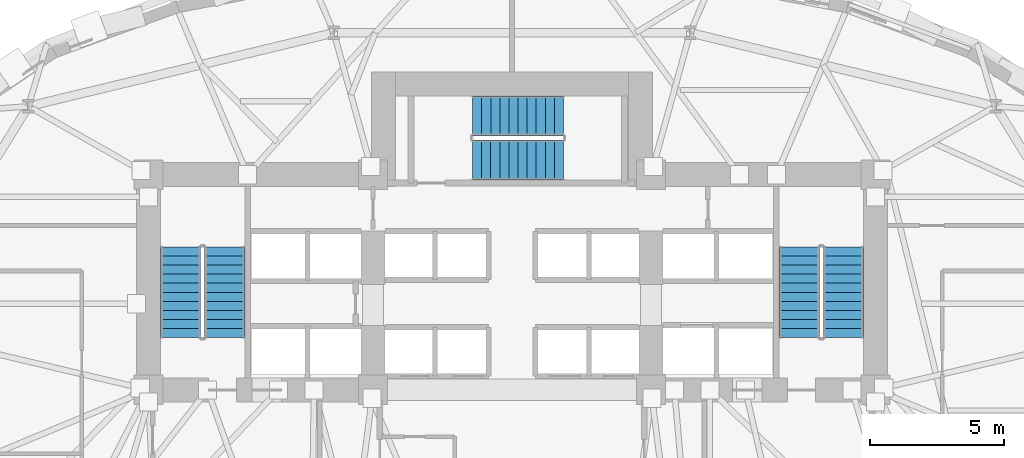
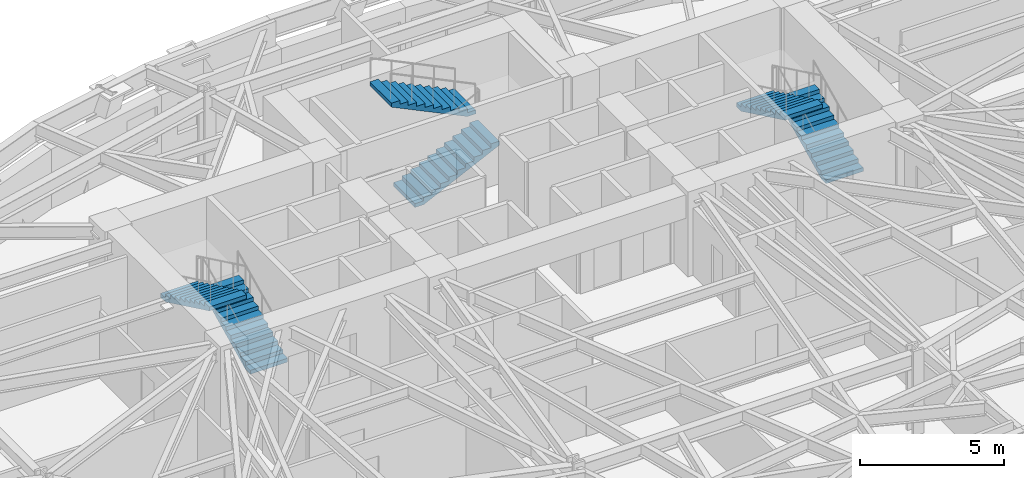
# One storey, part 9 of 13: 6 stair flights, 3 elements without a shape of their own.
"""IFC4 building model written with IfcOpenShell, lengths in metres."""

from ifc_helpers import new_model, si_unit, direction, frame, origin, place, context, subcontext, project, spatial, polyline, outline, extrude, material, type_object, element, aggregate, save


model = new_model("IFC4")

# Units and contexts
model_context = context("Model", 3, precision=1e-05, world=origin(), true_north=direction((0.0, 1.0)))
body_context = subcontext(model_context, "Body", "Model", "MODEL_VIEW")
ifc_project = project(units=[si_unit("LENGTHUNIT", "METRE"), si_unit("AREAUNIT", "SQUARE_METRE"), si_unit("VOLUMEUNIT", "CUBIC_METRE"), si_unit("PLANEANGLEUNIT", "RADIAN"), si_unit("MASSUNIT", "GRAM", prefix="KILO")], contexts=[model_context])

# Site, building, storey
site_placement = place(None, origin())
site = spatial("IfcSite", under=ifc_project, at=site_placement, CompositionType="ELEMENT")
building_placement = place(site_placement, origin())
building = spatial("IfcBuilding", under=site, at=building_placement, Name="Keldmark Tower", CompositionType="ELEMENT")
storey_placement = place(building_placement, frame((0.0, 0.0, 30.60009765625)))
storey = spatial("IfcBuildingStorey", under=building, at=storey_placement, Name="L07", CompositionType="ELEMENT", Elevation=30.60009765625)

# Stair, stair flights
ifc_material_1 = material(Name="Concrete C40/50", Category="concrete")
stair_type = type_object("IfcStairType", Name="Precast Concrete Core Exit Stair", PredefinedType="HALF_TURN_STAIR", material=ifc_material_1)
stair_1_placement = place(storey_placement, origin())
stair_1 = element("IfcStair", 1, at=stair_1_placement, inside=storey, type_object=stair_type, Name="L07 Exit Stair ST1", PredefinedType="HALF_TURN_STAIR")
ifc_material_2 = material(Name="Concrete C40/50", Category="concrete")
stair_flight_type = type_object("IfcStairFlightType", Name="Precast Concrete Stair Flight 1500 mm", PredefinedType="STRAIGHT", material=ifc_material_2)
stair_flight_1_placement = place(storey_placement, frame((-10.75, 3.35009765625, 0.0), z_axis=(0.0, 0.0, 1.0), x_axis=(0.0, 1.0, 0.0)))
stair_flight_1 = element("IfcStairFlight", 2, at=stair_flight_1_placement, type_object=stair_flight_type, Name="ST1 flight 1", NumberOfRisers=11, NumberOfTreads=10, PredefinedType="STRAIGHT", RiserHeight=0.163636364, TreadLength=0.34, context=body_context, shape_type="SweptSolid", body=[
    extrude(outline(polyline([(0.0, 0.0), (0.0, 0.16357421875), (0.340087890625, 0.16357421875), (0.340087890625, 0.327392578125), (0.679931640625, 0.327392578125), (0.679931640625, 0.490966796875), (1.02001953125, 0.490966796875), (1.02001953125, 0.654541015625), (1.360107421875, 0.654541015625), (1.360107421875, 0.818115234375), (1.699951171875, 0.818115234375), (1.699951171875, 0.98193359375), (2.0400390625, 0.98193359375), (2.0400390625, 1.1455078125), (2.3798828125, 1.1455078125), (2.3798828125, 1.30908203125), (2.719970703125, 1.30908203125), (2.719970703125, 1.47265625), (3.06005859375, 1.47265625), (3.06005859375, 1.636474609375), (3.39990234375, 1.636474609375), (3.39990234375, 1.800048828125), (3.39990234375, 1.469970703125), (0.345703125, 0.0), (0.0, 0.0)])), frame((0.0, 0.75, 0.0), z_axis=(0.0, -1.0, 0.0), x_axis=(1.0, 0.0, 0.0)), (0.0, 0.0, 1.0), 1.5),
])
stair_flight_2_placement = place(storey_placement, frame((-12.39990234375, 6.75, 1.7998046875), z_axis=(0.0, 0.0, 1.0), x_axis=(0.0, -1.0, 0.0)))
stair_flight_2 = element("IfcStairFlight", 3, at=stair_flight_2_placement, type_object=stair_flight_type, Name="ST1 flight 2", NumberOfRisers=11, NumberOfTreads=10, PredefinedType="STRAIGHT", RiserHeight=0.163636364, TreadLength=0.34, context=body_context, shape_type="SweptSolid", body=[
    extrude(outline(polyline([(0.0, 0.0), (0.0, 0.16357421875), (0.340087890625, 0.16357421875), (0.340087890625, 0.327392578125), (0.679931640625, 0.327392578125), (0.679931640625, 0.490966796875), (1.02001953125, 0.490966796875), (1.02001953125, 0.654541015625), (1.360107421875, 0.654541015625), (1.360107421875, 0.818115234375), (1.699951171875, 0.818115234375), (1.699951171875, 0.98193359375), (2.0400390625, 0.98193359375), (2.0400390625, 1.1455078125), (2.3798828125, 1.1455078125), (2.3798828125, 1.30908203125), (2.719970703125, 1.30908203125), (2.719970703125, 1.47265625), (3.06005859375, 1.47265625), (3.06005859375, 1.636474609375), (3.39990234375, 1.636474609375), (3.39990234375, 1.800048828125), (3.39990234375, 1.469970703125), (0.345703125, 0.0), (0.0, 0.0)])), frame((0.0, 0.75, 0.0), z_axis=(0.0, -1.0, 0.0), x_axis=(1.0, 0.0, 0.0)), (0.0, 0.0, 1.0), 1.5),
])
aggregate(stair_1, [stair_flight_1, stair_flight_2])

stair_2_placement = place(storey_placement, origin())
stair_2 = element("IfcStair", 4, at=stair_2_placement, inside=storey, type_object=stair_type, Name="L07 Exit Stair ST2", PredefinedType="HALF_TURN_STAIR")
stair_flight_3_placement = place(storey_placement, frame((12.39990234375, 3.35009765625, 0.0), z_axis=(0.0, 0.0, 1.0), x_axis=(0.0, 1.0, 0.0)))
stair_flight_3 = element("IfcStairFlight", 5, at=stair_flight_3_placement, type_object=stair_flight_type, Name="ST2 flight 1", NumberOfRisers=11, NumberOfTreads=10, PredefinedType="STRAIGHT", RiserHeight=0.163636364, TreadLength=0.34, context=body_context, shape_type="SweptSolid", body=[
    extrude(outline(polyline([(0.0, 0.0), (0.0, 0.16357421875), (0.340087890625, 0.16357421875), (0.340087890625, 0.327392578125), (0.679931640625, 0.327392578125), (0.679931640625, 0.490966796875), (1.02001953125, 0.490966796875), (1.02001953125, 0.654541015625), (1.360107421875, 0.654541015625), (1.360107421875, 0.818115234375), (1.699951171875, 0.818115234375), (1.699951171875, 0.98193359375), (2.0400390625, 0.98193359375), (2.0400390625, 1.1455078125), (2.3798828125, 1.1455078125), (2.3798828125, 1.30908203125), (2.719970703125, 1.30908203125), (2.719970703125, 1.47265625), (3.06005859375, 1.47265625), (3.06005859375, 1.636474609375), (3.39990234375, 1.636474609375), (3.39990234375, 1.800048828125), (3.39990234375, 1.469970703125), (0.345703125, 0.0), (0.0, 0.0)])), frame((0.0, 0.75, 0.0), z_axis=(0.0, -1.0, 0.0), x_axis=(1.0, 0.0, 0.0)), (0.0, 0.0, 1.0), 1.5),
])
stair_flight_4_placement = place(storey_placement, frame((10.75, 6.75, 1.7998046875), z_axis=(0.0, 0.0, 1.0), x_axis=(0.0, -1.0, 0.0)))
stair_flight_4 = element("IfcStairFlight", 6, at=stair_flight_4_placement, type_object=stair_flight_type, Name="ST2 flight 2", NumberOfRisers=11, NumberOfTreads=10, PredefinedType="STRAIGHT", RiserHeight=0.163636364, TreadLength=0.34, context=body_context, shape_type="SweptSolid", body=[
    extrude(outline(polyline([(0.0, 0.0), (0.0, 0.16357421875), (0.340087890625, 0.16357421875), (0.340087890625, 0.327392578125), (0.679931640625, 0.327392578125), (0.679931640625, 0.490966796875), (1.02001953125, 0.490966796875), (1.02001953125, 0.654541015625), (1.360107421875, 0.654541015625), (1.360107421875, 0.818115234375), (1.699951171875, 0.818115234375), (1.699951171875, 0.98193359375), (2.0400390625, 0.98193359375), (2.0400390625, 1.1455078125), (2.3798828125, 1.1455078125), (2.3798828125, 1.30908203125), (2.719970703125, 1.30908203125), (2.719970703125, 1.47265625), (3.06005859375, 1.47265625), (3.06005859375, 1.636474609375), (3.39990234375, 1.636474609375), (3.39990234375, 1.800048828125), (3.39990234375, 1.469970703125), (0.345703125, 0.0), (0.0, 0.0)])), frame((0.0, 0.75, 0.0), z_axis=(0.0, -1.0, 0.0), x_axis=(1.0, 0.0, 0.0)), (0.0, 0.0, 1.0), 1.5),
])
aggregate(stair_2, [stair_flight_3, stair_flight_4])

stair_3_placement = place(storey_placement, origin())
stair_3 = element("IfcStair", 7, at=stair_3_placement, inside=storey, type_object=stair_type, Name="L07 Exit Stair ST3", PredefinedType="HALF_TURN_STAIR")
stair_flight_5_placement = place(storey_placement, frame((-1.47509765625, 10.0, 0.0), z_axis=(0.0, 0.0, 1.0), x_axis=(1.0, 0.0, 0.0)))
stair_flight_5 = element("IfcStairFlight", 8, at=stair_flight_5_placement, type_object=stair_flight_type, Name="ST3 flight 1", NumberOfRisers=11, NumberOfTreads=10, PredefinedType="STRAIGHT", RiserHeight=0.163636364, TreadLength=0.34, context=body_context, shape_type="SweptSolid", body=[
    extrude(outline(polyline([(0.0, 0.0), (0.0, 0.16357421875), (0.340087890625, 0.16357421875), (0.340087890625, 0.327392578125), (0.679931640625, 0.327392578125), (0.679931640625, 0.490966796875), (1.02001953125, 0.490966796875), (1.02001953125, 0.654541015625), (1.360107421875, 0.654541015625), (1.360107421875, 0.818115234375), (1.699951171875, 0.818115234375), (1.699951171875, 0.98193359375), (2.0400390625, 0.98193359375), (2.0400390625, 1.1455078125), (2.3798828125, 1.1455078125), (2.3798828125, 1.30908203125), (2.719970703125, 1.30908203125), (2.719970703125, 1.47265625), (3.06005859375, 1.47265625), (3.06005859375, 1.636474609375), (3.39990234375, 1.636474609375), (3.39990234375, 1.800048828125), (3.39990234375, 1.469970703125), (0.345703125, 0.0), (0.0, 0.0)])), frame((0.0, 0.75, 0.0), z_axis=(0.0, -1.0, 0.0), x_axis=(1.0, 0.0, 0.0)), (0.0, 0.0, 1.0), 1.5),
])
stair_flight_6_placement = place(storey_placement, frame((1.925048828125, 11.64990234375, 1.7998046875), z_axis=(0.0, 0.0, 1.0), x_axis=(-1.0, 0.0, 0.0)))
stair_flight_6 = element("IfcStairFlight", 9, at=stair_flight_6_placement, type_object=stair_flight_type, Name="ST3 flight 2", NumberOfRisers=11, NumberOfTreads=10, PredefinedType="STRAIGHT", RiserHeight=0.163636364, TreadLength=0.34, context=body_context, shape_type="SweptSolid", body=[
    extrude(outline(polyline([(0.0, 0.0), (0.0, 0.16357421875), (0.340087890625, 0.16357421875), (0.340087890625, 0.327392578125), (0.679931640625, 0.327392578125), (0.679931640625, 0.490966796875), (1.02001953125, 0.490966796875), (1.02001953125, 0.654541015625), (1.360107421875, 0.654541015625), (1.360107421875, 0.818115234375), (1.699951171875, 0.818115234375), (1.699951171875, 0.98193359375), (2.0400390625, 0.98193359375), (2.0400390625, 1.1455078125), (2.3798828125, 1.1455078125), (2.3798828125, 1.30908203125), (2.719970703125, 1.30908203125), (2.719970703125, 1.47265625), (3.06005859375, 1.47265625), (3.06005859375, 1.636474609375), (3.39990234375, 1.636474609375), (3.39990234375, 1.800048828125), (3.39990234375, 1.469970703125), (0.345703125, 0.0), (0.0, 0.0)])), frame((0.0, 0.75, 0.0), z_axis=(0.0, -1.0, 0.0), x_axis=(1.0, 0.0, 0.0)), (0.0, 0.0, 1.0), 1.5),
])
aggregate(stair_3, [stair_flight_5, stair_flight_6])

save(model, "model.ifc")
